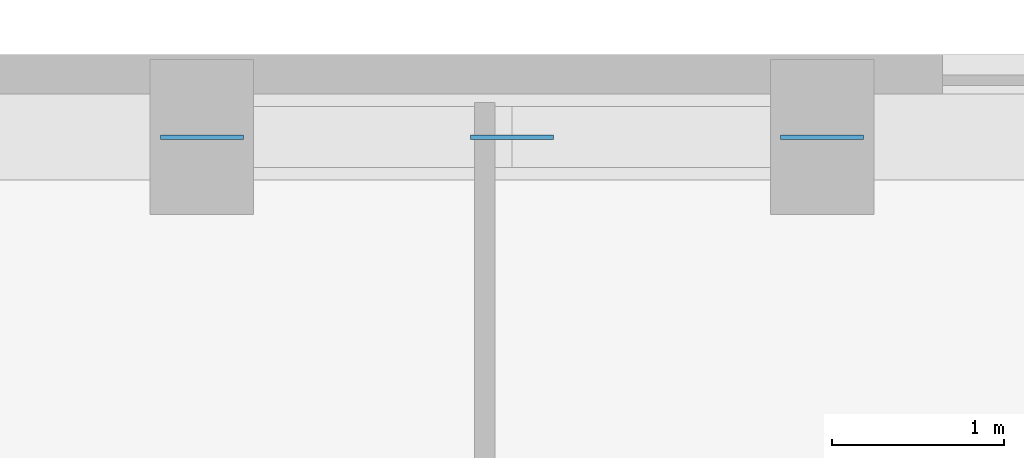
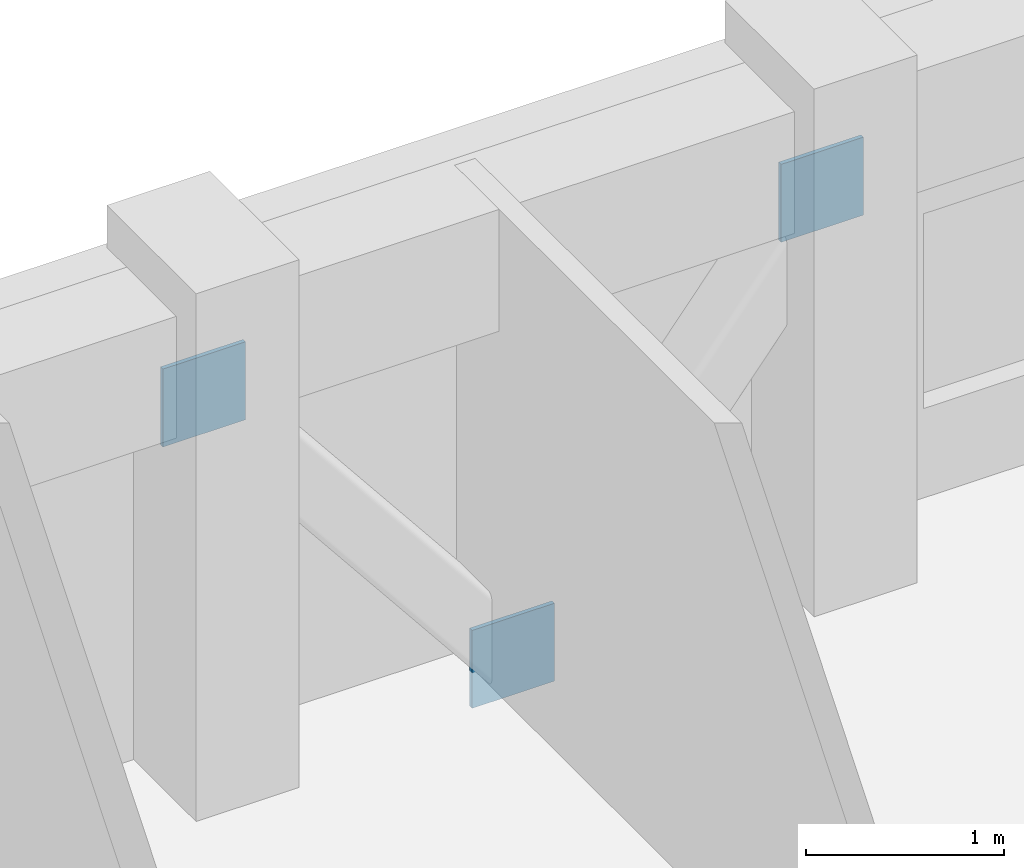
# One storey, part 9 of 11: 3 discrete accessories.
"""IFC4 building model written with IfcOpenShell, lengths in metres."""

import ifcopenshell
import ifcopenshell.guid

model = None  # the IFC model being written
_history = None  # IfcOwnerHistory: only IFC2X3 demands one
_inside = {}  # id of a spatial element -> (the spatial element, [elements in it])
_under = {}  # id of a project, library or spatial element -> (it, [spatial elements below it])
_declared = {}  # id of a project -> (the project, [libraries it declares])
_typed = {}  # id of a type object -> (the type object, [elements of that type])
_made_of = {}  # id of a material, layer set ... -> (it, [elements and type objects made of it])


def new_model(schema):
    """Start an empty IFC model of exactly this schema.

    Asked for "IFC4X3", IfcOpenShell would pick the latest addendum, in which some entities
    have other attributes; the version numbers below select the first issue.
    IFC2X3 requires an IfcOwnerHistory on every rooted entity: one is made here for all.
    """
    global model, _history
    if schema == "IFC4X3":
        model = ifcopenshell.file(schema_version=(4, 3, 0, 0))
    else:
        model = ifcopenshell.file(schema=schema)
    _inside.clear()
    _under.clear()
    _declared.clear()
    _typed.clear()
    _made_of.clear()
    _history = None
    if model.schema == "IFC2X3":
        org = make("IfcOrganization", Name="unknown")
        user = make(
            "IfcPersonAndOrganization",
            ThePerson=make("IfcPerson", FamilyName="unknown"),
            TheOrganization=org,
        )
        app = make(
            "IfcApplication",
            ApplicationDeveloper=org,
            Version="unknown",
            ApplicationFullName="unknown",
            ApplicationIdentifier="unknown",
        )
        _history = make(
            "IfcOwnerHistory",
            OwningUser=user,
            OwningApplication=app,
            ChangeAction="ADDED",
            CreationDate=0,
        )
    return model


def make(cls, **values):
    """One entity of the class cls with the attributes given. An attribute that is None is left unset."""
    return model.create_entity(
        cls, **{name: value for name, value in values.items() if value is not None}
    )


def rooted(cls, **values):
    """An entity with a GlobalId (a new one), such as an element, a storey or a relation."""
    return make(cls, GlobalId=ifcopenshell.guid.new(), OwnerHistory=_history, **values)


def si_unit(unit_type, name, prefix=None):
    """IfcSIUnit, for example si_unit("LENGTHUNIT", "METRE", prefix="MILLI")."""
    return make("IfcSIUnit", UnitType=unit_type, Prefix=prefix, Name=name)


def derived_unit(unit_type, elements):
    """IfcDerivedUnit: a product of units, each with its exponent."""
    return make(
        "IfcDerivedUnit",
        Elements=[
            make("IfcDerivedUnitElement", Unit=unit, Exponent=power)
            for unit, power in elements
        ],
        UnitType=unit_type,
    )


def assignment(units):
    """IfcUnitAssignment: the units of a project."""
    return None if units is None else make("IfcUnitAssignment", Units=units)


def point(xyz):
    """IfcCartesianPoint."""
    return None if xyz is None else make("IfcCartesianPoint", Coordinates=xyz)


def direction(xyz):
    """IfcDirection."""
    return None if xyz is None else make("IfcDirection", DirectionRatios=xyz)


def frame(location, z_axis=None, x_axis=None):
    """IfcAxis2Placement3D, a coordinate frame: its origin and axes. An axis left out is left unset."""
    return make(
        "IfcAxis2Placement3D",
        Location=point(location),
        Axis=direction(z_axis),
        RefDirection=direction(x_axis),
    )


def frame_2d(location, x_axis=None):
    """IfcAxis2Placement2D, a coordinate frame in the plane: its origin and x axis."""
    return make(
        "IfcAxis2Placement2D", Location=point(location), RefDirection=direction(x_axis)
    )


def origin():
    """The frame at (0, 0, 0) with its axes left unset."""
    return frame((0.0, 0.0, 0.0))


def origin_2d():
    """The frame at (0, 0) in the plane with its x axis left unset."""
    return frame_2d((0.0, 0.0))


def place(relative_to, where):
    """IfcLocalPlacement: puts the frame where relative to a parent placement (None: the world)."""
    return make(
        "IfcLocalPlacement", PlacementRelTo=relative_to, RelativePlacement=where
    )


def context(
    kind, dimensions, precision=None, world=None, true_north=None, identifier=None
):
    """IfcGeometricRepresentationContext, for example the 3D "Model" context."""
    return make(
        "IfcGeometricRepresentationContext",
        ContextIdentifier=identifier,
        ContextType=kind,
        CoordinateSpaceDimension=dimensions,
        Precision=precision,
        WorldCoordinateSystem=world,
        TrueNorth=true_north,
    )


def subcontext(parent, identifier, kind, view, scale=None):
    """IfcGeometricRepresentationSubContext, for example "Body" below "Model"."""
    return make(
        "IfcGeometricRepresentationSubContext",
        ContextIdentifier=identifier,
        ContextType=kind,
        ParentContext=parent,
        TargetScale=scale,
        TargetView=view,
    )


def project(units=None, contexts=None):
    """IfcProject with its units and contexts."""
    return rooted(
        "IfcProject",
        Name="project",
        RepresentationContexts=contexts,
        UnitsInContext=assignment(units),
    )


def spatial(cls, under=None, at=None, **own):
    """A site, building, storey or space (cls), placed at a placement, below another one or the project."""
    s = rooted(cls, ObjectPlacement=at, **own)
    if under is not None:
        _under.setdefault(under.id(), (under, []))[1].append(s)
    return s


def profile(cls, at=None, kind="AREA", **sizes):
    """A parametric profile (cls). Its sizes go by their IFC names, for example OverallWidth=200.0."""
    return make(cls, ProfileType=kind, Position=at, **sizes)


def rectangle(**sizes):
    """IfcRectangleProfileDef."""
    return profile("IfcRectangleProfileDef", **sizes)


def extrude(swept, where, along, depth):
    """IfcExtrudedAreaSolid: the profile swept, set in the frame where, extruded along a direction by depth."""
    return make(
        "IfcExtrudedAreaSolid",
        SweptArea=swept,
        Position=where,
        ExtrudedDirection=direction(along),
        Depth=depth,
    )


def shape(context_of_items, identifier, shape_type, items):
    """IfcShapeRepresentation: the items that make up one representation, for example the "Body"."""
    return make(
        "IfcShapeRepresentation",
        ContextOfItems=context_of_items,
        RepresentationIdentifier=identifier,
        RepresentationType=shape_type,
        Items=items,
    )


def material(Name=None, Category=None):
    """IfcMaterial."""
    return make("IfcMaterial", Name=Name, Category=Category)


def layer(
    of_material, thickness, ventilated=None, Name=None, Category=None, Priority=None
):
    """IfcMaterialLayer: one layer of a wall or slab, of a material (None: an air gap)."""
    return make(
        "IfcMaterialLayer",
        Material=of_material,
        LayerThickness=thickness,
        IsVentilated=ventilated,
        Name=Name,
        Category=Category,
        Priority=Priority,
    )


def layer_set(layers, Name=None):
    """IfcMaterialLayerSet."""
    return make("IfcMaterialLayerSet", MaterialLayers=layers, LayerSetName=Name)


def made_of(thing, what):
    """Note that an element or type object is made of a material, layer set ...; save() writes the relation."""
    if what is not None:
        _made_of.setdefault(what.id(), (what, []))[1].append(thing)
    return thing


def type_object(cls, material=None, **own):
    """A type object (cls), such as IfcWallType, which elements share."""
    return made_of(rooted(cls, **own), material)


def element(
    cls,
    number,
    at=None,
    inside=None,
    cuts=None,
    type_object=None,
    material=None,
    context=None,
    identifier="Body",
    shape_type=None,
    held_by="IfcProductDefinitionShape",
    body=None,
    shapes=None,
    **own,
):
    """One element of the class cls, such as IfcWall. Its Tag is "e" and its number.

    at: its placement. inside: the storey or other place that contains it. cuts: it is an
    opening in that element (IfcRelVoidsElement). A single representation is given by context,
    identifier, shape_type and body (its items); several are given by shapes. held_by: the class
    of the entity that holds the representations. save() writes the other relations.
    """
    e = rooted(cls, Tag="e%d" % number, ObjectPlacement=at, **own)
    if body is not None:
        shapes = [shape(context, identifier, shape_type, body)]
    if shapes is not None:
        e.Representation = make(held_by, Representations=shapes)
    if inside is not None:
        _inside.setdefault(inside.id(), (inside, []))[1].append(e)
    if cuts is not None:
        rooted(
            "IfcRelVoidsElement", RelatingBuildingElement=cuts, RelatedOpeningElement=e
        )
    if type_object is not None:
        _typed.setdefault(type_object.id(), (type_object, []))[1].append(e)
    return made_of(e, material)


def aggregate(whole, parts):
    """IfcRelAggregates: a whole, such as a stair, and the parts it consists of."""
    return rooted("IfcRelAggregates", RelatingObject=whole, RelatedObjects=parts)


def save(model, path):
    """Write the relations noted so far, then the file.

    IfcRelAggregates (storeys below a building ...), IfcRelContainedInSpatialStructure (elements
    in a storey), IfcRelDefinesByType, IfcRelAssociatesMaterial and IfcRelDeclares: one each for
    every whole, place, type object, material and project.
    """
    for whole, parts in _under.values():
        aggregate(whole, parts)
    for where, things in _inside.values():
        rooted(
            "IfcRelContainedInSpatialStructure",
            RelatedElements=things,
            RelatingStructure=where,
        )
    for kind, things in _typed.values():
        rooted("IfcRelDefinesByType", RelatedObjects=things, RelatingType=kind)
    for what, things in _made_of.values():
        rooted("IfcRelAssociatesMaterial", RelatedObjects=things, RelatingMaterial=what)
    for by, libraries in _declared.values():
        rooted("IfcRelDeclares", RelatingContext=by, RelatedDefinitions=libraries)
    model.write(path)


model = new_model("IFC4")

# Units and contexts
model_context = context("Model", 3, precision=1e-05, world=origin(), true_north=direction((0.0, 1.0)))
body_context = subcontext(model_context, "Body", "Model", "MODEL_VIEW")
ifc_project = project(units=[si_unit("LENGTHUNIT", "METRE"), si_unit("AREAUNIT", "SQUARE_METRE"), si_unit("VOLUMEUNIT", "CUBIC_METRE"), si_unit("PLANEANGLEUNIT", "RADIAN"), si_unit("MASSUNIT", "GRAM", prefix="KILO"), derived_unit("THERMALTRANSMITTANCEUNIT", [(si_unit("MASSUNIT", "GRAM", prefix="KILO"), 1), (si_unit("TIMEUNIT", "SECOND"), -3), (si_unit("THERMODYNAMICTEMPERATUREUNIT", "KELVIN"), -1)])], contexts=[model_context])

# Site, building, storey
site_placement = place(None, origin())
site = spatial("IfcSite", under=ifc_project, at=site_placement, CompositionType="ELEMENT")
building_placement = place(site_placement, origin())
building = spatial("IfcBuilding", under=site, at=building_placement, Name="Korrvale Station Residences", CompositionType="ELEMENT")
storey_placement = place(building_placement, frame((0.0, 0.0, 163.39990234375)))
storey = spatial("IfcBuildingStorey", under=building, at=storey_placement, Name="L47", CompositionType="ELEMENT", Elevation=163.39990234375)

# Discrete accessories
ifc_material = material(Name="Steel S355", Category="steel")
ifc_layer = layer(ifc_material, 0.02490234375, Name="Steel S355")
ifc_layer_set = layer_set([ifc_layer], Name="Steel S355")
discrete_accessory_type = type_object("IfcDiscreteAccessoryType", Name="ACC-GUSSET-25", PredefinedType="BRACKET", material=ifc_layer_set)
for number, where, z_axis, x_axis, name in (
    (1, (25.0, 42.820068359375, -0.219970703125), (0.0, 0.0, 1.0), (1.0, 0.0, 0.0), "L47 N Brace End Gusset Connection M"),
    (2, (23.199951171875, 42.820068359375, 2.02001953125), (0.0, 0.0, 1.0), (1.0, 0.0, 0.0), "L47 N Brace End Gusset Connection A"),
    (3, (26.800048828125, 42.820068359375, 2.02001953125), (0.0, 0.0, 1.0), (1.0, 0.0, 0.0), "L47 N Brace End Gusset Connection B"),
):
    element("IfcDiscreteAccessory", number, at=place(storey_placement, frame(where, z_axis=z_axis, x_axis=x_axis)), inside=storey, type_object=discrete_accessory_type, Name=name, PredefinedType="BRACKET", context=body_context, shape_type="SweptSolid", body=[
        extrude(rectangle(XDim=0.47998046875, YDim=0.02490234375, at=origin_2d()), origin(), (0.0, 0.0, 1.0), 0.47998046875),
    ])

save(model, "model.ifc")
